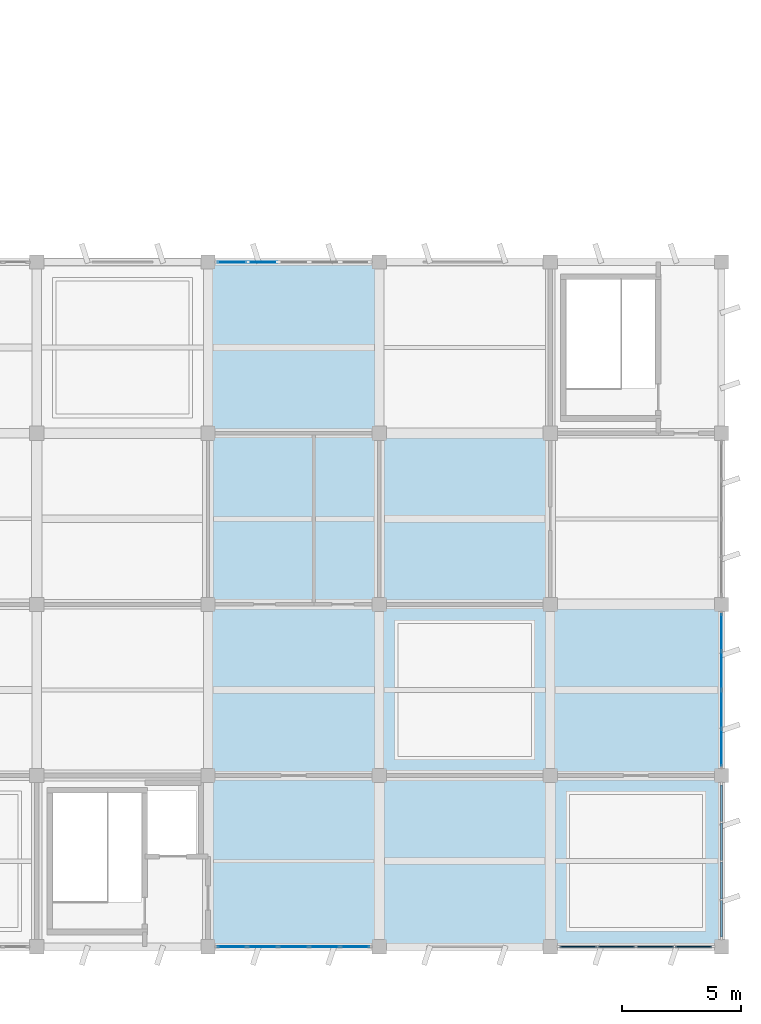
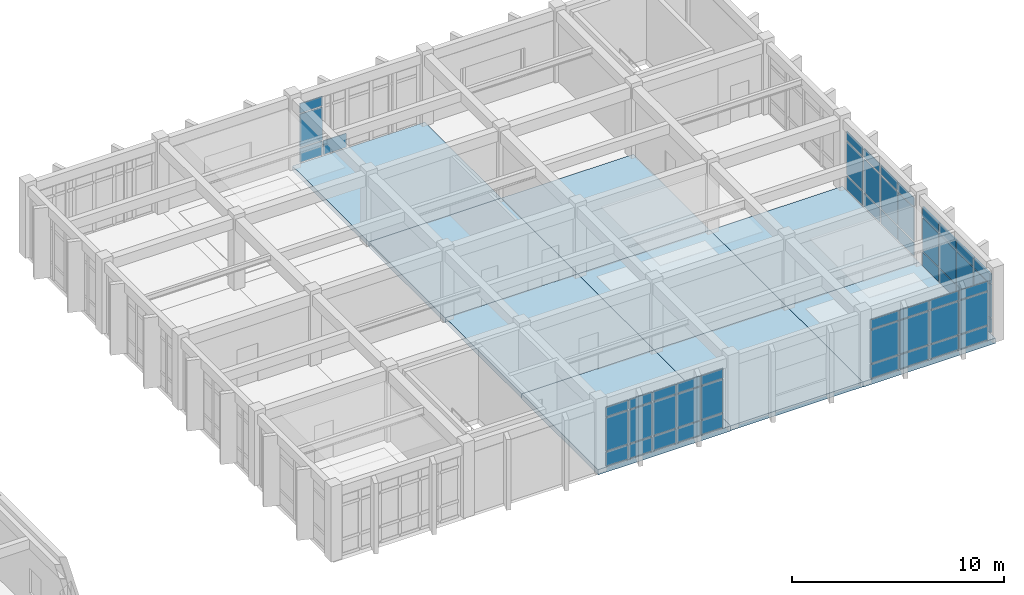
# One storey, part 42 of 70: 55 plates, 9 slabs, 5 elements without a shape of their own.
"""IFC4 building model written with IfcOpenShell, lengths in metres."""

from ifc_helpers import new_model, si_unit, direction, frame, origin, origin_2d, place, context, subcontext, project, spatial, polyline, rectangle, outline, extrude, material, layer, layer_set, type_object, element, aggregate, save


model = new_model("IFC4")

# Units and contexts
model_context = context("Model", 3, precision=1e-05, world=origin(), true_north=direction((0.0, 1.0)))
body_context = subcontext(model_context, "Body", "Model", "MODEL_VIEW")
ifc_project = project(units=[si_unit("LENGTHUNIT", "METRE"), si_unit("AREAUNIT", "SQUARE_METRE"), si_unit("VOLUMEUNIT", "CUBIC_METRE"), si_unit("PLANEANGLEUNIT", "RADIAN"), si_unit("MASSUNIT", "GRAM", prefix="KILO")], contexts=[model_context])

# Site, building, storey
site_placement = place(None, origin())
site = spatial("IfcSite", under=ifc_project, at=site_placement, CompositionType="ELEMENT")
building_placement = place(site_placement, origin())
building = spatial("IfcBuilding", under=site, at=building_placement, Name="Kavelor Marine Aquarium", CompositionType="ELEMENT")
storey_placement = place(building_placement, frame((0.0, 0.0, 9.179931640625)))
storey = spatial("IfcBuildingStorey", under=building, at=storey_placement, Name="L02", CompositionType="ELEMENT", Elevation=9.179931640625)

# Curtain wall, plates
ifc_material_1 = material(Name="Thermally Broken Aluminium and Low-E Glass", Category="aluminium")
ifc_layer_1 = layer(ifc_material_1, 0.243896484375)
ifc_layer_set_1 = layer_set([ifc_layer_1], Name="CW-SYS13")
curtain_wall_type_1 = type_object("IfcCurtainWallType", Name="CW-SYS13", PredefinedType="USERDEFINED", material=ifc_layer_set_1)
curtain_wall_1_placement = place(storey_placement, origin())
curtain_wall_1 = element("IfcCurtainWall", 1, at=curtain_wall_1_placement, inside=storey, type_object=curtain_wall_type_1, Name="cw:y:L02:21_01", ObjectType="Curtain Wall", PredefinedType="USERDEFINED")
ifc_material_2 = material(Name="Solar-Control Double Low-E Glazing", Category="glass")
ifc_layer_2 = layer(ifc_material_2, 0.02587890625)
ifc_layer_set_2 = layer_set([ifc_layer_2], Name="CWP-01")
plate_type_1 = type_object("IfcPlateType", Name="CWP-01", PredefinedType="CURTAIN_PANEL", material=ifc_layer_set_2)
plate_1_placement = place(storey_placement, frame((154.39990234375, 11.177490234375, 0.074951171875), z_axis=(0.0, 0.0, 1.0), x_axis=(0.0, 1.0, 0.0)))
plate_1 = element("IfcPlate", 2, at=plate_1_placement, type_object=plate_type_1, Name="CW13 panel 1.1", PredefinedType="CURTAIN_PANEL", context=body_context, shape_type="SweptSolid", body=[
    extrude(rectangle(XDim=1.514892578125, YDim=0.02587890625, at=origin_2d()), origin(), (0.0, 0.0, 1.0), 0.78759765625),
])
plate_2_placement = place(storey_placement, frame((154.39990234375, 11.177490234375, 0.9375), z_axis=(0.0, 0.0, 1.0), x_axis=(0.0, 1.0, 0.0)))
plate_2 = element("IfcPlate", 3, at=plate_2_placement, type_object=plate_type_1, Name="CW13 panel 1.2", PredefinedType="CURTAIN_PANEL", context=body_context, shape_type="SweptSolid", body=[
    extrude(rectangle(XDim=1.514892578125, YDim=0.02587890625, at=origin_2d()), origin(), (0.0, 0.0, 1.0), 1.89501953125),
])
plate_3_placement = place(storey_placement, frame((154.39990234375, 11.177490234375, 2.907470703125), z_axis=(0.0, 0.0, 1.0), x_axis=(0.0, 1.0, 0.0)))
plate_3 = element("IfcPlate", 4, at=plate_3_placement, type_object=plate_type_1, Name="CW13 panel 1.3", PredefinedType="CURTAIN_PANEL", context=body_context, shape_type="SweptSolid", body=[
    extrude(rectangle(XDim=1.514892578125, YDim=0.02587890625, at=origin_2d()), origin(), (0.0, 0.0, 1.0), 0.53759765625),
])
plate_4_placement = place(storey_placement, frame((154.39990234375, 12.7861328125, 0.074951171875), z_axis=(0.0, 0.0, 1.0), x_axis=(0.0, 1.0, 0.0)))
plate_4 = element("IfcPlate", 5, at=plate_4_placement, type_object=plate_type_1, Name="CW13 panel 2.1", PredefinedType="CURTAIN_PANEL", context=body_context, shape_type="SweptSolid", body=[
    extrude(rectangle(XDim=1.552490234375, YDim=0.02587890625, at=origin_2d()), origin(), (0.0, 0.0, 1.0), 0.78759765625),
])
plate_5_placement = place(storey_placement, frame((154.39990234375, 12.7861328125, 0.9375), z_axis=(0.0, 0.0, 1.0), x_axis=(0.0, 1.0, 0.0)))
plate_5 = element("IfcPlate", 6, at=plate_5_placement, type_object=plate_type_1, Name="CW13 panel 2.2", PredefinedType="CURTAIN_PANEL", context=body_context, shape_type="SweptSolid", body=[
    extrude(rectangle(XDim=1.552490234375, YDim=0.02587890625, at=origin_2d()), origin(), (0.0, 0.0, 1.0), 1.89501953125),
])
plate_6_placement = place(storey_placement, frame((154.39990234375, 12.7861328125, 2.907470703125), z_axis=(0.0, 0.0, 1.0), x_axis=(0.0, 1.0, 0.0)))
plate_6 = element("IfcPlate", 7, at=plate_6_placement, type_object=plate_type_1, Name="CW13 panel 2.3", PredefinedType="CURTAIN_PANEL", context=body_context, shape_type="SweptSolid", body=[
    extrude(rectangle(XDim=1.552490234375, YDim=0.02587890625, at=origin_2d()), origin(), (0.0, 0.0, 1.0), 0.53759765625),
])
plate_7_placement = place(storey_placement, frame((154.39990234375, 14.413818359375, 0.074951171875), z_axis=(0.0, 0.0, 1.0), x_axis=(0.0, 1.0, 0.0)))
plate_7 = element("IfcPlate", 8, at=plate_7_placement, type_object=plate_type_1, Name="CW13 panel 3.1", PredefinedType="CURTAIN_PANEL", context=body_context, shape_type="SweptSolid", body=[
    extrude(rectangle(XDim=1.552490234375, YDim=0.02587890625, at=origin_2d()), origin(), (0.0, 0.0, 1.0), 0.78759765625),
])
plate_8_placement = place(storey_placement, frame((154.39990234375, 14.413818359375, 0.9375), z_axis=(0.0, 0.0, 1.0), x_axis=(0.0, 1.0, 0.0)))
plate_8 = element("IfcPlate", 9, at=plate_8_placement, type_object=plate_type_1, Name="CW13 panel 3.2", PredefinedType="CURTAIN_PANEL", context=body_context, shape_type="SweptSolid", body=[
    extrude(rectangle(XDim=1.552490234375, YDim=0.02587890625, at=origin_2d()), origin(), (0.0, 0.0, 1.0), 1.89501953125),
])
plate_9_placement = place(storey_placement, frame((154.39990234375, 14.413818359375, 2.907470703125), z_axis=(0.0, 0.0, 1.0), x_axis=(0.0, 1.0, 0.0)))
plate_9 = element("IfcPlate", 10, at=plate_9_placement, type_object=plate_type_1, Name="CW13 panel 3.3", PredefinedType="CURTAIN_PANEL", context=body_context, shape_type="SweptSolid", body=[
    extrude(rectangle(XDim=1.552490234375, YDim=0.02587890625, at=origin_2d()), origin(), (0.0, 0.0, 1.0), 0.53759765625),
])
plate_10_placement = place(storey_placement, frame((154.39990234375, 16.0224609375, 0.074951171875), z_axis=(0.0, 0.0, 1.0), x_axis=(0.0, 1.0, 0.0)))
plate_10 = element("IfcPlate", 11, at=plate_10_placement, type_object=plate_type_1, Name="CW13 panel 4.1", PredefinedType="CURTAIN_PANEL", context=body_context, shape_type="SweptSolid", body=[
    extrude(rectangle(XDim=1.514892578125, YDim=0.02587890625, at=origin_2d()), origin(), (0.0, 0.0, 1.0), 0.78759765625),
])
plate_11_placement = place(storey_placement, frame((154.39990234375, 16.0224609375, 0.9375), z_axis=(0.0, 0.0, 1.0), x_axis=(0.0, 1.0, 0.0)))
plate_11 = element("IfcPlate", 12, at=plate_11_placement, type_object=plate_type_1, Name="CW13 panel 4.2", PredefinedType="CURTAIN_PANEL", context=body_context, shape_type="SweptSolid", body=[
    extrude(rectangle(XDim=1.514892578125, YDim=0.02587890625, at=origin_2d()), origin(), (0.0, 0.0, 1.0), 1.89501953125),
])
plate_12_placement = place(storey_placement, frame((154.39990234375, 16.0224609375, 2.907470703125), z_axis=(0.0, 0.0, 1.0), x_axis=(0.0, 1.0, 0.0)))
plate_12 = element("IfcPlate", 13, at=plate_12_placement, type_object=plate_type_1, Name="CW13 panel 4.3", PredefinedType="CURTAIN_PANEL", context=body_context, shape_type="SweptSolid", body=[
    extrude(rectangle(XDim=1.514892578125, YDim=0.02587890625, at=origin_2d()), origin(), (0.0, 0.0, 1.0), 0.53759765625),
])
aggregate(curtain_wall_1, [plate_1, plate_2, plate_3, plate_4, plate_5, plate_6, plate_7, plate_8, plate_9, plate_10, plate_11, plate_12])

ifc_material_3 = material(Name="Thermally Broken Aluminium and Low-E Glass", Category="aluminium")
ifc_layer_3 = layer(ifc_material_3, 0.2041015625)
ifc_layer_set_3 = layer_set([ifc_layer_3], Name="CW-SYS8")
curtain_wall_type_2 = type_object("IfcCurtainWallType", Name="CW-SYS8", PredefinedType="USERDEFINED", material=ifc_layer_set_3)
curtain_wall_2_placement = place(storey_placement, origin())
curtain_wall_2 = element("IfcCurtainWall", 14, at=curtain_wall_2_placement, inside=storey, type_object=curtain_wall_type_2, Name="cw:x:L02:18_00", ObjectType="Curtain Wall", PredefinedType="USERDEFINED")
ifc_material_4 = material(Name="Solar-Control Double Low-E Glazing", Category="glass")
ifc_layer_4 = layer(ifc_material_4, 0.0400390625)
ifc_layer_set_4 = layer_set([ifc_layer_4], Name="CWP-08")
plate_type_2 = type_object("IfcPlateType", Name="CWP-08", PredefinedType="CURTAIN_PANEL", material=ifc_layer_set_4)
plate_13_placement = place(storey_placement, frame((138.98779296875, 2.800048828125, 0.06494140625), z_axis=(0.0, 0.0, 1.0), x_axis=(-1.0, 0.0, 0.0)))
plate_13 = element("IfcPlate", 15, at=plate_13_placement, type_object=plate_type_2, Name="CW08 panel 1.1", PredefinedType="CURTAIN_PANEL", context=body_context, shape_type="SweptSolid", body=[
    extrude(rectangle(XDim=1.20458984375, YDim=0.0400390625, at=origin_2d()), origin(), (0.0, 0.0, 1.0), 0.802490234375),
])
plate_14_placement = place(storey_placement, frame((138.98779296875, 2.800048828125, 0.9326171875), z_axis=(0.0, 0.0, 1.0), x_axis=(-1.0, 0.0, 0.0)))
plate_14 = element("IfcPlate", 16, at=plate_14_placement, type_object=plate_type_2, Name="CW08 panel 1.2", PredefinedType="CURTAIN_PANEL", context=body_context, shape_type="SweptSolid", body=[
    extrude(rectangle(XDim=1.20458984375, YDim=0.0400390625, at=origin_2d()), origin(), (0.0, 0.0, 1.0), 1.905029296875),
])
plate_15_placement = place(storey_placement, frame((138.98779296875, 2.800048828125, 2.90234375), z_axis=(0.0, 0.0, 1.0), x_axis=(-1.0, 0.0, 0.0)))
plate_15 = element("IfcPlate", 17, at=plate_15_placement, type_object=plate_type_2, Name="CW08 panel 1.3", PredefinedType="CURTAIN_PANEL", context=body_context, shape_type="SweptSolid", body=[
    extrude(rectangle(XDim=1.20458984375, YDim=0.0400390625, at=origin_2d()), origin(), (0.0, 0.0, 1.0), 0.552490234375),
])
plate_16_placement = place(storey_placement, frame((137.701904296875, 2.800048828125, 0.06494140625), z_axis=(0.0, 0.0, 1.0), x_axis=(-1.0, 0.0, 0.0)))
plate_16 = element("IfcPlate", 18, at=plate_16_placement, type_object=plate_type_2, Name="CW08 panel 2.1", PredefinedType="CURTAIN_PANEL", context=body_context, shape_type="SweptSolid", body=[
    extrude(rectangle(XDim=1.237060546875, YDim=0.0400390625, at=origin_2d()), origin(), (0.0, 0.0, 1.0), 0.802490234375),
])
plate_17_placement = place(storey_placement, frame((137.701904296875, 2.800048828125, 0.9326171875), z_axis=(0.0, 0.0, 1.0), x_axis=(-1.0, 0.0, 0.0)))
plate_17 = element("IfcPlate", 19, at=plate_17_placement, type_object=plate_type_2, Name="CW08 panel 2.2", PredefinedType="CURTAIN_PANEL", context=body_context, shape_type="SweptSolid", body=[
    extrude(rectangle(XDim=1.237060546875, YDim=0.0400390625, at=origin_2d()), origin(), (0.0, 0.0, 1.0), 1.905029296875),
])
plate_18_placement = place(storey_placement, frame((137.701904296875, 2.800048828125, 2.90234375), z_axis=(0.0, 0.0, 1.0), x_axis=(-1.0, 0.0, 0.0)))
plate_18 = element("IfcPlate", 20, at=plate_18_placement, type_object=plate_type_2, Name="CW08 panel 2.3", PredefinedType="CURTAIN_PANEL", context=body_context, shape_type="SweptSolid", body=[
    extrude(rectangle(XDim=1.237060546875, YDim=0.0400390625, at=origin_2d()), origin(), (0.0, 0.0, 1.0), 0.552490234375),
])
plate_19_placement = place(storey_placement, frame((136.39990234375, 2.800048828125, 0.06494140625), z_axis=(0.0, 0.0, 1.0), x_axis=(-1.0, 0.0, 0.0)))
plate_19 = element("IfcPlate", 21, at=plate_19_placement, type_object=plate_type_2, Name="CW08 panel 3.1", PredefinedType="CURTAIN_PANEL", context=body_context, shape_type="SweptSolid", body=[
    extrude(rectangle(XDim=1.237060546875, YDim=0.0400390625, at=origin_2d()), origin(), (0.0, 0.0, 1.0), 0.802490234375),
])
plate_20_placement = place(storey_placement, frame((136.39990234375, 2.800048828125, 0.9326171875), z_axis=(0.0, 0.0, 1.0), x_axis=(-1.0, 0.0, 0.0)))
plate_20 = element("IfcPlate", 22, at=plate_20_placement, type_object=plate_type_2, Name="CW08 panel 3.2", PredefinedType="CURTAIN_PANEL", context=body_context, shape_type="SweptSolid", body=[
    extrude(rectangle(XDim=1.237060546875, YDim=0.0400390625, at=origin_2d()), origin(), (0.0, 0.0, 1.0), 1.905029296875),
])
plate_21_placement = place(storey_placement, frame((136.39990234375, 2.800048828125, 2.90234375), z_axis=(0.0, 0.0, 1.0), x_axis=(-1.0, 0.0, 0.0)))
plate_21 = element("IfcPlate", 23, at=plate_21_placement, type_object=plate_type_2, Name="CW08 panel 3.3", PredefinedType="CURTAIN_PANEL", context=body_context, shape_type="SweptSolid", body=[
    extrude(rectangle(XDim=1.237060546875, YDim=0.0400390625, at=origin_2d()), origin(), (0.0, 0.0, 1.0), 0.552490234375),
])
plate_22_placement = place(storey_placement, frame((135.097900390625, 2.800048828125, 0.06494140625), z_axis=(0.0, 0.0, 1.0), x_axis=(-1.0, 0.0, 0.0)))
plate_22 = element("IfcPlate", 24, at=plate_22_placement, type_object=plate_type_2, Name="CW08 panel 4.1", PredefinedType="CURTAIN_PANEL", context=body_context, shape_type="SweptSolid", body=[
    extrude(rectangle(XDim=1.237060546875, YDim=0.0400390625, at=origin_2d()), origin(), (0.0, 0.0, 1.0), 0.802490234375),
])
plate_23_placement = place(storey_placement, frame((135.097900390625, 2.800048828125, 0.9326171875), z_axis=(0.0, 0.0, 1.0), x_axis=(-1.0, 0.0, 0.0)))
plate_23 = element("IfcPlate", 25, at=plate_23_placement, type_object=plate_type_2, Name="CW08 panel 4.2", PredefinedType="CURTAIN_PANEL", context=body_context, shape_type="SweptSolid", body=[
    extrude(rectangle(XDim=1.237060546875, YDim=0.0400390625, at=origin_2d()), origin(), (0.0, 0.0, 1.0), 1.905029296875),
])
plate_24_placement = place(storey_placement, frame((135.097900390625, 2.800048828125, 2.90234375), z_axis=(0.0, 0.0, 1.0), x_axis=(-1.0, 0.0, 0.0)))
plate_24 = element("IfcPlate", 26, at=plate_24_placement, type_object=plate_type_2, Name="CW08 panel 4.3", PredefinedType="CURTAIN_PANEL", context=body_context, shape_type="SweptSolid", body=[
    extrude(rectangle(XDim=1.237060546875, YDim=0.0400390625, at=origin_2d()), origin(), (0.0, 0.0, 1.0), 0.552490234375),
])
plate_25_placement = place(storey_placement, frame((133.812255859375, 2.800048828125, 0.06494140625), z_axis=(0.0, 0.0, 1.0), x_axis=(-1.0, 0.0, 0.0)))
plate_25 = element("IfcPlate", 27, at=plate_25_placement, type_object=plate_type_2, Name="CW08 panel 5.1", PredefinedType="CURTAIN_PANEL", context=body_context, shape_type="SweptSolid", body=[
    extrude(rectangle(XDim=1.20458984375, YDim=0.0400390625, at=origin_2d()), origin(), (0.0, 0.0, 1.0), 0.802490234375),
])
plate_26_placement = place(storey_placement, frame((133.812255859375, 2.800048828125, 0.9326171875), z_axis=(0.0, 0.0, 1.0), x_axis=(-1.0, 0.0, 0.0)))
plate_26 = element("IfcPlate", 28, at=plate_26_placement, type_object=plate_type_2, Name="CW08 panel 5.2", PredefinedType="CURTAIN_PANEL", context=body_context, shape_type="SweptSolid", body=[
    extrude(rectangle(XDim=1.20458984375, YDim=0.0400390625, at=origin_2d()), origin(), (0.0, 0.0, 1.0), 1.905029296875),
])
plate_27_placement = place(storey_placement, frame((133.812255859375, 2.800048828125, 2.90234375), z_axis=(0.0, 0.0, 1.0), x_axis=(-1.0, 0.0, 0.0)))
plate_27 = element("IfcPlate", 29, at=plate_27_placement, type_object=plate_type_2, Name="CW08 panel 5.3", PredefinedType="CURTAIN_PANEL", context=body_context, shape_type="SweptSolid", body=[
    extrude(rectangle(XDim=1.20458984375, YDim=0.0400390625, at=origin_2d()), origin(), (0.0, 0.0, 1.0), 0.552490234375),
])
aggregate(curtain_wall_2, [plate_13, plate_14, plate_15, plate_16, plate_17, plate_18, plate_19, plate_20, plate_21, plate_22, plate_23, plate_24, plate_25, plate_26, plate_27])

ifc_material_5 = material(Name="Thermally Broken Aluminium and Low-E Glass", Category="aluminium")
ifc_layer_5 = layer(ifc_material_5, 0.2119140625)
ifc_layer_set_5 = layer_set([ifc_layer_5], Name="CW-SYS9")
curtain_wall_type_3 = type_object("IfcCurtainWallType", Name="CW-SYS9", PredefinedType="USERDEFINED", material=ifc_layer_set_5)
curtain_wall_3_placement = place(storey_placement, origin())
curtain_wall_3 = element("IfcCurtainWall", 30, at=curtain_wall_3_placement, inside=storey, type_object=curtain_wall_type_3, Name="cw:x:L02:18_04", ObjectType="Curtain Wall", PredefinedType="USERDEFINED")
ifc_material_6 = material(Name="Solar-Control Double Low-E Glazing", Category="glass")
ifc_layer_6 = layer(ifc_material_6, 0.0419921875)
ifc_layer_set_6 = layer_set([ifc_layer_6], Name="CWP-09")
plate_type_3 = type_object("IfcPlateType", Name="CWP-09", PredefinedType="CURTAIN_PANEL", material=ifc_layer_set_6)
plate_28_placement = place(storey_placement, frame((133.81103515625, 31.60009765625, 0.06494140625), z_axis=(0.0, 0.0, 1.0), x_axis=(1.0, 0.0, 0.0)))
plate_28 = element("IfcPlate", 31, at=plate_28_placement, type_object=plate_type_3, Name="CW09 panel 1.1", PredefinedType="CURTAIN_PANEL", context=body_context, shape_type="SweptSolid", body=[
    extrude(rectangle(XDim=1.2119140625, YDim=0.0419921875, at=origin_2d()), origin(), (0.0, 0.0, 1.0), 0.802490234375),
])
plate_29_placement = place(storey_placement, frame((133.81103515625, 31.60009765625, 0.9326171875), z_axis=(0.0, 0.0, 1.0), x_axis=(1.0, 0.0, 0.0)))
plate_29 = element("IfcPlate", 32, at=plate_29_placement, type_object=plate_type_3, Name="CW09 panel 1.2", PredefinedType="CURTAIN_PANEL", context=body_context, shape_type="SweptSolid", body=[
    extrude(rectangle(XDim=1.2119140625, YDim=0.0419921875, at=origin_2d()), origin(), (0.0, 0.0, 1.0), 1.905029296875),
])
plate_30_placement = place(storey_placement, frame((133.81103515625, 31.60009765625, 2.90234375), z_axis=(0.0, 0.0, 1.0), x_axis=(1.0, 0.0, 0.0)))
plate_30 = element("IfcPlate", 33, at=plate_30_placement, type_object=plate_type_3, Name="CW09 panel 1.3", PredefinedType="CURTAIN_PANEL", context=body_context, shape_type="SweptSolid", body=[
    extrude(rectangle(XDim=1.2119140625, YDim=0.0419921875, at=origin_2d()), origin(), (0.0, 0.0, 1.0), 0.552490234375),
])
plate_31_placement = place(storey_placement, frame((135.097900390625, 31.60009765625, 0.06494140625), z_axis=(0.0, 0.0, 1.0), x_axis=(1.0, 0.0, 0.0)))
plate_31 = element("IfcPlate", 34, at=plate_31_placement, type_object=plate_type_3, Name="CW09 panel 2.1", PredefinedType="CURTAIN_PANEL", context=body_context, shape_type="SweptSolid", body=[
    extrude(rectangle(XDim=1.241943359375, YDim=0.0419921875, at=origin_2d()), origin(), (0.0, 0.0, 1.0), 0.802490234375),
])
aggregate(curtain_wall_3, [plate_28, plate_29, plate_30, plate_31])

ifc_material_7 = material(Name="Thermally Broken Aluminium and Low-E Glass", Category="aluminium")
ifc_layer_7 = layer(ifc_material_7, 0.236083984375)
ifc_layer_set_7 = layer_set([ifc_layer_7], Name="CW-SYS12")
curtain_wall_type_4 = type_object("IfcCurtainWallType", Name="CW-SYS12", PredefinedType="USERDEFINED", material=ifc_layer_set_7)
curtain_wall_4_placement = place(storey_placement, origin())
curtain_wall_4 = element("IfcCurtainWall", 35, at=curtain_wall_4_placement, inside=storey, type_object=curtain_wall_type_4, Name="cw:x:L02:20_00", ObjectType="Curtain Wall", PredefinedType="USERDEFINED")
ifc_material_8 = material(Name="Solar-Control Double Low-E Glazing", Category="glass")
ifc_layer_8 = layer(ifc_material_8, 0.048095703125)
ifc_layer_set_8 = layer_set([ifc_layer_8], Name="CWP-12")
plate_type_4 = type_object("IfcPlateType", Name="CWP-12", PredefinedType="CURTAIN_PANEL", material=ifc_layer_set_8)
plate_32_placement = place(storey_placement, frame((153.226318359375, 2.800048828125, 0.074951171875), z_axis=(0.0, 0.0, 1.0), x_axis=(-1.0, 0.0, 0.0)))
plate_32 = element("IfcPlate", 36, at=plate_32_placement, type_object=plate_type_4, Name="CW12 panel 1.1", PredefinedType="CURTAIN_PANEL", context=body_context, shape_type="SweptSolid", body=[
    extrude(rectangle(XDim=1.53759765625, YDim=0.048095703125, at=origin_2d()), origin(), (0.0, 0.0, 1.0), 0.78759765625),
])
plate_33_placement = place(storey_placement, frame((153.226318359375, 2.800048828125, 0.9375), z_axis=(0.0, 0.0, 1.0), x_axis=(-1.0, 0.0, 0.0)))
plate_33 = element("IfcPlate", 37, at=plate_33_placement, type_object=plate_type_4, Name="CW12 panel 1.2", PredefinedType="CURTAIN_PANEL", context=body_context, shape_type="SweptSolid", body=[
    extrude(rectangle(XDim=1.53759765625, YDim=0.048095703125, at=origin_2d()), origin(), (0.0, 0.0, 1.0), 1.89501953125),
])
plate_34_placement = place(storey_placement, frame((153.226318359375, 2.800048828125, 2.907470703125), z_axis=(0.0, 0.0, 1.0), x_axis=(-1.0, 0.0, 0.0)))
plate_34 = element("IfcPlate", 38, at=plate_34_placement, type_object=plate_type_4, Name="CW12 panel 1.3", PredefinedType="CURTAIN_PANEL", context=body_context, shape_type="SweptSolid", body=[
    extrude(rectangle(XDim=1.53759765625, YDim=0.048095703125, at=origin_2d()), origin(), (0.0, 0.0, 1.0), 0.53759765625),
])
plate_35_placement = place(storey_placement, frame((151.61376953125, 2.800048828125, 0.074951171875), z_axis=(0.0, 0.0, 1.0), x_axis=(-1.0, 0.0, 0.0)))
plate_35 = element("IfcPlate", 39, at=plate_35_placement, type_object=plate_type_4, Name="CW12 panel 2.1", PredefinedType="CURTAIN_PANEL", context=body_context, shape_type="SweptSolid", body=[
    extrude(rectangle(XDim=1.5673828125, YDim=0.048095703125, at=origin_2d()), origin(), (0.0, 0.0, 1.0), 0.78759765625),
])
plate_36_placement = place(storey_placement, frame((151.61376953125, 2.800048828125, 0.9375), z_axis=(0.0, 0.0, 1.0), x_axis=(-1.0, 0.0, 0.0)))
plate_36 = element("IfcPlate", 40, at=plate_36_placement, type_object=plate_type_4, Name="CW12 panel 2.2", PredefinedType="CURTAIN_PANEL", context=body_context, shape_type="SweptSolid", body=[
    extrude(rectangle(XDim=1.5673828125, YDim=0.048095703125, at=origin_2d()), origin(), (0.0, 0.0, 1.0), 1.89501953125),
])
plate_37_placement = place(storey_placement, frame((151.61376953125, 2.800048828125, 2.907470703125), z_axis=(0.0, 0.0, 1.0), x_axis=(-1.0, 0.0, 0.0)))
plate_37 = element("IfcPlate", 41, at=plate_37_placement, type_object=plate_type_4, Name="CW12 panel 2.3", PredefinedType="CURTAIN_PANEL", context=body_context, shape_type="SweptSolid", body=[
    extrude(rectangle(XDim=1.5673828125, YDim=0.048095703125, at=origin_2d()), origin(), (0.0, 0.0, 1.0), 0.53759765625),
])
plate_38_placement = place(storey_placement, frame((149.986328125, 2.800048828125, 0.074951171875), z_axis=(0.0, 0.0, 1.0), x_axis=(-1.0, 0.0, 0.0)))
plate_38 = element("IfcPlate", 42, at=plate_38_placement, type_object=plate_type_4, Name="CW12 panel 3.1", PredefinedType="CURTAIN_PANEL", context=body_context, shape_type="SweptSolid", body=[
    extrude(rectangle(XDim=1.5673828125, YDim=0.048095703125, at=origin_2d()), origin(), (0.0, 0.0, 1.0), 0.78759765625),
])
plate_39_placement = place(storey_placement, frame((149.986328125, 2.800048828125, 0.9375), z_axis=(0.0, 0.0, 1.0), x_axis=(-1.0, 0.0, 0.0)))
plate_39 = element("IfcPlate", 43, at=plate_39_placement, type_object=plate_type_4, Name="CW12 panel 3.2", PredefinedType="CURTAIN_PANEL", context=body_context, shape_type="SweptSolid", body=[
    extrude(rectangle(XDim=1.5673828125, YDim=0.048095703125, at=origin_2d()), origin(), (0.0, 0.0, 1.0), 1.89501953125),
])
plate_40_placement = place(storey_placement, frame((149.986328125, 2.800048828125, 2.907470703125), z_axis=(0.0, 0.0, 1.0), x_axis=(-1.0, 0.0, 0.0)))
plate_40 = element("IfcPlate", 44, at=plate_40_placement, type_object=plate_type_4, Name="CW12 panel 3.3", PredefinedType="CURTAIN_PANEL", context=body_context, shape_type="SweptSolid", body=[
    extrude(rectangle(XDim=1.5673828125, YDim=0.048095703125, at=origin_2d()), origin(), (0.0, 0.0, 1.0), 0.53759765625),
])
plate_41_placement = place(storey_placement, frame((148.373779296875, 2.800048828125, 0.074951171875), z_axis=(0.0, 0.0, 1.0), x_axis=(-1.0, 0.0, 0.0)))
plate_41 = element("IfcPlate", 45, at=plate_41_placement, type_object=plate_type_4, Name="CW12 panel 4.1", PredefinedType="CURTAIN_PANEL", context=body_context, shape_type="SweptSolid", body=[
    extrude(rectangle(XDim=1.53759765625, YDim=0.048095703125, at=origin_2d()), origin(), (0.0, 0.0, 1.0), 0.78759765625),
])
plate_42_placement = place(storey_placement, frame((148.373779296875, 2.800048828125, 0.9375), z_axis=(0.0, 0.0, 1.0), x_axis=(-1.0, 0.0, 0.0)))
plate_42 = element("IfcPlate", 46, at=plate_42_placement, type_object=plate_type_4, Name="CW12 panel 4.2", PredefinedType="CURTAIN_PANEL", context=body_context, shape_type="SweptSolid", body=[
    extrude(rectangle(XDim=1.53759765625, YDim=0.048095703125, at=origin_2d()), origin(), (0.0, 0.0, 1.0), 1.89501953125),
])
plate_43_placement = place(storey_placement, frame((148.373779296875, 2.800048828125, 2.907470703125), z_axis=(0.0, 0.0, 1.0), x_axis=(-1.0, 0.0, 0.0)))
plate_43 = element("IfcPlate", 47, at=plate_43_placement, type_object=plate_type_4, Name="CW12 panel 4.3", PredefinedType="CURTAIN_PANEL", context=body_context, shape_type="SweptSolid", body=[
    extrude(rectangle(XDim=1.53759765625, YDim=0.048095703125, at=origin_2d()), origin(), (0.0, 0.0, 1.0), 0.53759765625),
])
aggregate(curtain_wall_4, [plate_32, plate_33, plate_34, plate_35, plate_36, plate_37, plate_38, plate_39, plate_40, plate_41, plate_42, plate_43])

curtain_wall_5_placement = place(storey_placement, origin())
curtain_wall_5 = element("IfcCurtainWall", 48, at=curtain_wall_5_placement, inside=storey, type_object=curtain_wall_type_4, Name="cw:y:L02:21_00", ObjectType="Curtain Wall", PredefinedType="USERDEFINED")
ifc_material_9 = material(Name="Laminated Cast Acrylic Viewing Glazing", Category="glass")
ifc_layer_9 = layer(ifc_material_9, 0.095947265625)
ifc_layer_set_9 = layer_set([ifc_layer_9], Name="CWP-36")
plate_type_5 = type_object("IfcPlateType", Name="CWP-36", PredefinedType="CURTAIN_PANEL", material=ifc_layer_set_9)
plate_44_placement = place(storey_placement, frame((154.39990234375, 3.9736328125, 0.074951171875), z_axis=(0.0, 0.0, 1.0), x_axis=(0.0, 1.0, 0.0)))
plate_44 = element("IfcPlate", 49, at=plate_44_placement, type_object=plate_type_5, Name="CW12 panel 1.1", PredefinedType="CURTAIN_PANEL", context=body_context, shape_type="SweptSolid", body=[
    extrude(rectangle(XDim=1.53759765625, YDim=0.095947265625, at=origin_2d()), origin(), (0.0, 0.0, 1.0), 0.78759765625),
])
plate_45_placement = place(storey_placement, frame((154.39990234375, 3.9736328125, 0.9375), z_axis=(0.0, 0.0, 1.0), x_axis=(0.0, 1.0, 0.0)))
plate_45 = element("IfcPlate", 50, at=plate_45_placement, type_object=plate_type_5, Name="CW12 panel 1.2", PredefinedType="CURTAIN_PANEL", context=body_context, shape_type="SweptSolid", body=[
    extrude(rectangle(XDim=1.53759765625, YDim=0.095947265625, at=origin_2d()), origin(), (0.0, 0.0, 1.0), 1.89501953125),
])
plate_46_placement = place(storey_placement, frame((154.39990234375, 3.9736328125, 2.907470703125), z_axis=(0.0, 0.0, 1.0), x_axis=(0.0, 1.0, 0.0)))
plate_46 = element("IfcPlate", 51, at=plate_46_placement, type_object=plate_type_5, Name="CW12 panel 1.3", PredefinedType="CURTAIN_PANEL", context=body_context, shape_type="SweptSolid", body=[
    extrude(rectangle(XDim=1.53759765625, YDim=0.095947265625, at=origin_2d()), origin(), (0.0, 0.0, 1.0), 0.53759765625),
])
plate_47_placement = place(storey_placement, frame((154.39990234375, 5.586181640625, 0.074951171875), z_axis=(0.0, 0.0, 1.0), x_axis=(0.0, 1.0, 0.0)))
plate_47 = element("IfcPlate", 52, at=plate_47_placement, type_object=plate_type_5, Name="CW12 panel 2.1", PredefinedType="CURTAIN_PANEL", context=body_context, shape_type="SweptSolid", body=[
    extrude(rectangle(XDim=1.5673828125, YDim=0.095947265625, at=origin_2d()), origin(), (0.0, 0.0, 1.0), 0.78759765625),
])
plate_48_placement = place(storey_placement, frame((154.39990234375, 5.586181640625, 0.9375), z_axis=(0.0, 0.0, 1.0), x_axis=(0.0, 1.0, 0.0)))
plate_48 = element("IfcPlate", 53, at=plate_48_placement, type_object=plate_type_5, Name="CW12 panel 2.2", PredefinedType="CURTAIN_PANEL", context=body_context, shape_type="SweptSolid", body=[
    extrude(rectangle(XDim=1.5673828125, YDim=0.095947265625, at=origin_2d()), origin(), (0.0, 0.0, 1.0), 1.89501953125),
])
plate_49_placement = place(storey_placement, frame((154.39990234375, 5.586181640625, 2.907470703125), z_axis=(0.0, 0.0, 1.0), x_axis=(0.0, 1.0, 0.0)))
plate_49 = element("IfcPlate", 54, at=plate_49_placement, type_object=plate_type_5, Name="CW12 panel 2.3", PredefinedType="CURTAIN_PANEL", context=body_context, shape_type="SweptSolid", body=[
    extrude(rectangle(XDim=1.5673828125, YDim=0.095947265625, at=origin_2d()), origin(), (0.0, 0.0, 1.0), 0.53759765625),
])
plate_50_placement = place(storey_placement, frame((154.39990234375, 7.2138671875, 0.074951171875), z_axis=(0.0, 0.0, 1.0), x_axis=(0.0, 1.0, 0.0)))
plate_50 = element("IfcPlate", 55, at=plate_50_placement, type_object=plate_type_5, Name="CW12 panel 3.1", PredefinedType="CURTAIN_PANEL", context=body_context, shape_type="SweptSolid", body=[
    extrude(rectangle(XDim=1.5673828125, YDim=0.095947265625, at=origin_2d()), origin(), (0.0, 0.0, 1.0), 0.78759765625),
])
plate_51_placement = place(storey_placement, frame((154.39990234375, 7.2138671875, 0.9375), z_axis=(0.0, 0.0, 1.0), x_axis=(0.0, 1.0, 0.0)))
plate_51 = element("IfcPlate", 56, at=plate_51_placement, type_object=plate_type_5, Name="CW12 panel 3.2", PredefinedType="CURTAIN_PANEL", context=body_context, shape_type="SweptSolid", body=[
    extrude(rectangle(XDim=1.5673828125, YDim=0.095947265625, at=origin_2d()), origin(), (0.0, 0.0, 1.0), 1.89501953125),
])
plate_52_placement = place(storey_placement, frame((154.39990234375, 7.2138671875, 2.907470703125), z_axis=(0.0, 0.0, 1.0), x_axis=(0.0, 1.0, 0.0)))
plate_52 = element("IfcPlate", 57, at=plate_52_placement, type_object=plate_type_5, Name="CW12 panel 3.3", PredefinedType="CURTAIN_PANEL", context=body_context, shape_type="SweptSolid", body=[
    extrude(rectangle(XDim=1.5673828125, YDim=0.095947265625, at=origin_2d()), origin(), (0.0, 0.0, 1.0), 0.53759765625),
])
plate_53_placement = place(storey_placement, frame((154.39990234375, 8.826171875, 0.074951171875), z_axis=(0.0, 0.0, 1.0), x_axis=(0.0, 1.0, 0.0)))
plate_53 = element("IfcPlate", 58, at=plate_53_placement, type_object=plate_type_5, Name="CW12 panel 4.1", PredefinedType="CURTAIN_PANEL", context=body_context, shape_type="SweptSolid", body=[
    extrude(rectangle(XDim=1.53759765625, YDim=0.095947265625, at=origin_2d()), origin(), (0.0, 0.0, 1.0), 0.78759765625),
])
plate_54_placement = place(storey_placement, frame((154.39990234375, 8.826171875, 0.9375), z_axis=(0.0, 0.0, 1.0), x_axis=(0.0, 1.0, 0.0)))
plate_54 = element("IfcPlate", 59, at=plate_54_placement, type_object=plate_type_5, Name="CW12 panel 4.2", PredefinedType="CURTAIN_PANEL", context=body_context, shape_type="SweptSolid", body=[
    extrude(rectangle(XDim=1.53759765625, YDim=0.095947265625, at=origin_2d()), origin(), (0.0, 0.0, 1.0), 1.89501953125),
])
plate_55_placement = place(storey_placement, frame((154.39990234375, 8.826171875, 2.907470703125), z_axis=(0.0, 0.0, 1.0), x_axis=(0.0, 1.0, 0.0)))
plate_55 = element("IfcPlate", 60, at=plate_55_placement, type_object=plate_type_5, Name="CW12 panel 4.3", PredefinedType="CURTAIN_PANEL", context=body_context, shape_type="SweptSolid", body=[
    extrude(rectangle(XDim=1.53759765625, YDim=0.095947265625, at=origin_2d()), origin(), (0.0, 0.0, 1.0), 0.53759765625),
])
aggregate(curtain_wall_5, [plate_44, plate_45, plate_46, plate_47, plate_48, plate_49, plate_50, plate_51, plate_52, plate_53, plate_54, plate_55])

# Slabs
ifc_material_10 = material(Name="Concrete C40/50", Category="concrete")
ifc_layer_10 = layer(ifc_material_10, 0.300048828125)
ifc_layer_set_10 = layer_set([ifc_layer_10], Name="SL-FL1")
slab_type_1 = type_object("IfcSlabType", Name="SL-FL1", PredefinedType="FLOOR", material=ifc_layer_set_10)
slab_1_placement = place(storey_placement, frame((0.0, 0.0, -0.300048828125)))
element("IfcSlab", 61, at=slab_1_placement, inside=storey, type_object=slab_type_1, Name="slab:L02:18_00", PredefinedType="FLOOR", context=body_context, shape_type="SweptSolid", body=[
    extrude(outline(polyline([(132.800048828125, 2.800048828125), (140.0, 2.800048828125), (140.0, 10.0), (132.800048828125, 10.0), (132.800048828125, 2.800048828125)])), origin(), (0.0, 0.0, 1.0), 0.300048828125),
])
slab_2_placement = place(storey_placement, frame((0.0, 0.0, -0.300048828125)))
element("IfcSlab", 62, at=slab_2_placement, inside=storey, type_object=slab_type_1, Name="slab:L02:18_02", PredefinedType="FLOOR", context=body_context, shape_type="SweptSolid", body=[
    extrude(outline(polyline([(132.800048828125, 17.199951171875), (140.0, 17.199951171875), (140.0, 24.39990234375), (132.800048828125, 24.39990234375), (132.800048828125, 17.199951171875)])), origin(), (0.0, 0.0, 1.0), 0.300048828125),
])
slab_3_placement = place(storey_placement, frame((0.0, 0.0, -0.300048828125)))
element("IfcSlab", 63, at=slab_3_placement, inside=storey, type_object=slab_type_1, Name="slab:L02:19_01", PredefinedType="FLOOR", context=body_context, shape_type="SweptSolid", body=[
    extrude(outline(polyline([(140.0, 10.0), (147.199951171875, 10.0), (147.199951171875, 17.199951171875), (140.0, 17.199951171875), (140.0, 10.0)])), origin(), (0.0, 0.0, 1.0), 0.300048828125),
])
slab_4_placement = place(storey_placement, frame((0.0, 0.0, -0.300048828125)))
element("IfcSlab", 64, at=slab_4_placement, inside=storey, type_object=slab_type_1, Name="slab:L02:20_00", PredefinedType="FLOOR", context=body_context, shape_type="SweptSolid", body=[
    extrude(outline(polyline([(147.199951171875, 2.800048828125), (154.39990234375, 2.800048828125), (154.39990234375, 10.0), (147.199951171875, 10.0), (147.199951171875, 2.800048828125)])), origin(), (0.0, 0.0, 1.0), 0.300048828125),
])
ifc_material_11 = material(Name="Concrete C40/50", Category="concrete")
ifc_layer_11 = layer(ifc_material_11, 0.280029296875)
ifc_layer_set_11 = layer_set([ifc_layer_11], Name="SL-FL2")
slab_type_2 = type_object("IfcSlabType", Name="SL-FL2", PredefinedType="FLOOR", material=ifc_layer_set_11)
slab_5_placement = place(storey_placement, frame((0.0, 0.0, -0.280029296875)))
element("IfcSlab", 65, at=slab_5_placement, inside=storey, type_object=slab_type_2, Name="slab:L02:18_01", PredefinedType="FLOOR", context=body_context, shape_type="SweptSolid", body=[
    extrude(outline(polyline([(132.800048828125, 10.0), (140.0, 10.0), (140.0, 17.199951171875), (132.800048828125, 17.199951171875), (132.800048828125, 10.0)])), origin(), (0.0, 0.0, 1.0), 0.280029296875),
])
slab_6_placement = place(storey_placement, frame((0.0, 0.0, -0.280029296875)))
element("IfcSlab", 66, at=slab_6_placement, inside=storey, type_object=slab_type_2, Name="slab:L02:18_03", PredefinedType="FLOOR", context=body_context, shape_type="SweptSolid", body=[
    extrude(outline(polyline([(132.800048828125, 24.39990234375), (140.0, 24.39990234375), (140.0, 31.60009765625), (132.800048828125, 31.60009765625), (132.800048828125, 24.39990234375)])), origin(), (0.0, 0.0, 1.0), 0.280029296875),
])
slab_7_placement = place(storey_placement, frame((0.0, 0.0, -0.280029296875)))
element("IfcSlab", 67, at=slab_7_placement, inside=storey, type_object=slab_type_2, Name="slab:L02:19_00", PredefinedType="FLOOR", context=body_context, shape_type="SweptSolid", body=[
    extrude(outline(polyline([(140.0, 2.800048828125), (147.199951171875, 2.800048828125), (147.199951171875, 10.0), (140.0, 10.0), (140.0, 2.800048828125)])), origin(), (0.0, 0.0, 1.0), 0.280029296875),
])
slab_8_placement = place(storey_placement, frame((0.0, 0.0, -0.280029296875)))
element("IfcSlab", 68, at=slab_8_placement, inside=storey, type_object=slab_type_2, Name="slab:L02:19_02", PredefinedType="FLOOR", context=body_context, shape_type="SweptSolid", body=[
    extrude(outline(polyline([(140.0, 17.199951171875), (147.199951171875, 17.199951171875), (147.199951171875, 24.39990234375), (140.0, 24.39990234375), (140.0, 17.199951171875)])), origin(), (0.0, 0.0, 1.0), 0.280029296875),
])
slab_9_placement = place(storey_placement, frame((0.0, 0.0, -0.280029296875)))
element("IfcSlab", 69, at=slab_9_placement, inside=storey, type_object=slab_type_2, Name="slab:L02:20_01", PredefinedType="FLOOR", context=body_context, shape_type="SweptSolid", body=[
    extrude(outline(polyline([(147.199951171875, 10.0), (154.39990234375, 10.0), (154.39990234375, 17.199951171875), (147.199951171875, 17.199951171875), (147.199951171875, 10.0)])), origin(), (0.0, 0.0, 1.0), 0.280029296875),
])

save(model, "model.ifc")
